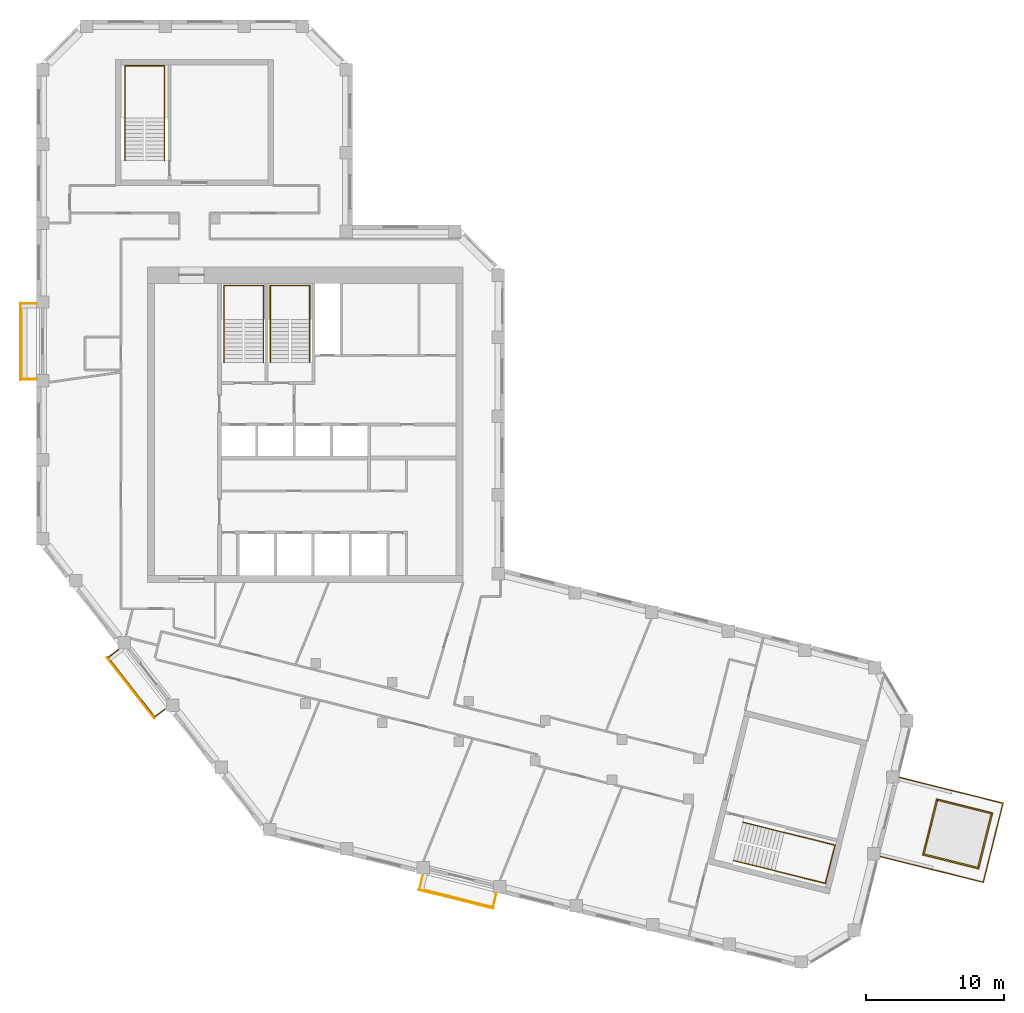
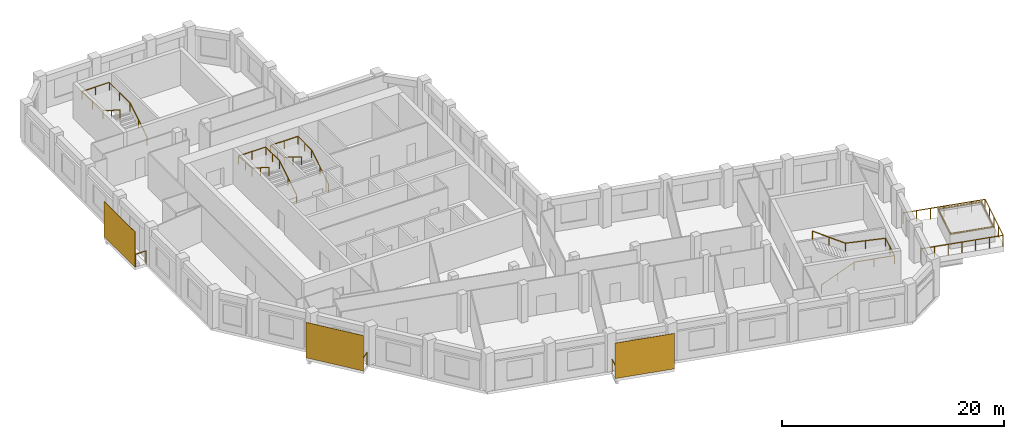
# One storey, part 12 of 13: 8 railings, 4 coverings, 3 shading devices.
"""IFC4 building model written with IfcOpenShell, lengths in metres."""

from ifc_helpers import new_model, si_unit, direction, frame, origin, origin_2d, place, context, subcontext, project, spatial, rectangle, circle, extrude, material, layer, layer_set, type_object, element, save


model = new_model("IFC4")

# Units and contexts
model_context = context("Model", 3, precision=1e-05, world=origin(), true_north=direction((0.0, 1.0)))
body_context = subcontext(model_context, "Body", "Model", "MODEL_VIEW")
ifc_project = project(units=[si_unit("LENGTHUNIT", "METRE"), si_unit("AREAUNIT", "SQUARE_METRE"), si_unit("VOLUMEUNIT", "CUBIC_METRE"), si_unit("PLANEANGLEUNIT", "RADIAN"), si_unit("MASSUNIT", "GRAM", prefix="KILO")], contexts=[model_context])

# Site, building, storey
site_placement = place(None, origin())
site = spatial("IfcSite", under=ifc_project, at=site_placement, CompositionType="ELEMENT")
building_placement = place(site_placement, origin())
building = spatial("IfcBuilding", under=site, at=building_placement, Name="Meshkara Civic Tower", CompositionType="ELEMENT")
storey_placement = place(building_placement, frame((0.0, 0.0, 383.39990234375)))
storey = spatial("IfcBuildingStorey", under=building, at=storey_placement, Name="L88", CompositionType="ELEMENT", Elevation=383.39990234375)

# Railings
ifc_material_1 = material(Name="Steel S355", Category="steel")
railing_type_1 = type_object("IfcRailingType", Name="BALUSTRADE GUARD 1400", PredefinedType="BALUSTRADE", material=ifc_material_1)
railing_1_placement = place(storey_placement, frame((0.0, 34.235107421875, 0.0)))
element("IfcRailing", 1, at=railing_1_placement, inside=storey, type_object=railing_type_1, Name="Balcony guard", PredefinedType="BALUSTRADE", context=body_context, shape_type="SweptSolid", body=[
    extrude(circle(Radius=0.02392578125, at=origin_2d()), frame((0.0, 0.0, 1.3759765625), z_axis=(-1.0, 0.0, 0.0), x_axis=(0.0, -1.0, 0.0)), (0.0, 0.0, 1.0), 1.110107421875),
    extrude(circle(Radius=0.02392578125, at=origin_2d()), frame((-1.110107421875, 0.0, 1.3759765625), z_axis=(0.0, -1.0, 0.0), x_axis=(1.0, 0.0, 0.0)), (0.0, 0.0, 1.0), 5.460205078125),
    extrude(circle(Radius=0.02392578125, at=origin_2d()), frame((-1.110107421875, -5.460205078125, 1.3759765625), z_axis=(1.0, 0.0, 0.0), x_axis=(0.0, 1.0, 0.0)), (0.0, 0.0, 1.0), 1.110107421875),
    extrude(circle(Radius=0.02099609375, at=origin_2d()), origin(), (0.0, 0.0, 1.0), 1.351806640625),
    extrude(circle(Radius=0.02099609375, at=origin_2d()), frame((-1.110107421875, 0.0, 0.0)), (0.0, 0.0, 1.0), 1.351806640625),
    extrude(circle(Radius=0.02099609375, at=origin_2d()), frame((-1.110107421875, -1.092041015625, 0.0)), (0.0, 0.0, 1.0), 1.351806640625),
    extrude(circle(Radius=0.02099609375, at=origin_2d()), frame((-1.110107421875, -2.18408203125, 0.0)), (0.0, 0.0, 1.0), 1.351806640625),
    extrude(circle(Radius=0.02099609375, at=origin_2d()), frame((-1.110107421875, -3.276123046875, 0.0)), (0.0, 0.0, 1.0), 1.351806640625),
    extrude(circle(Radius=0.02099609375, at=origin_2d()), frame((-1.110107421875, -4.3681640625, 0.0)), (0.0, 0.0, 1.0), 1.351806640625),
    extrude(circle(Radius=0.02099609375, at=origin_2d()), frame((-1.110107421875, -5.460205078125, 0.0)), (0.0, 0.0, 1.0), 1.351806640625),
    extrude(circle(Radius=0.02099609375, at=origin_2d()), frame((0.0, -5.460205078125, 0.0)), (0.0, 0.0, 1.0), 1.351806640625),
])
railing_2_placement = place(storey_placement, frame((5.89990234375, 9.25390625, 0.0)))
element("IfcRailing", 2, at=railing_2_placement, inside=storey, type_object=railing_type_1, Name="Balcony guard", PredefinedType="BALUSTRADE", context=body_context, shape_type="SweptSolid", body=[
    extrude(circle(Radius=0.02392578125, at=origin_2d()), frame((0.0, 0.0, 1.3759765625), z_axis=(-0.787920766417, -0.615776636329, 0.0), x_axis=(0.615776636329, -0.787920766417, 0.0)), (0.0, 0.0, 1.0), 0.928955078125),
    extrude(circle(Radius=0.02392578125, at=origin_2d()), frame((-0.73193359375, -0.572021484375, 1.3759765625), z_axis=(0.615684818606, -0.787992515281, 0.0), x_axis=(0.787992515281, 0.615684818606, 0.0)), (0.0, 0.0, 1.0), 5.460693359375),
    extrude(circle(Radius=0.02392578125, at=origin_2d()), frame((2.630126953125, -4.875, 1.3759765625), z_axis=(0.7875216523, 0.616286984415, 0.0), x_axis=(-0.616286984415, 0.7875216523, 0.0)), (0.0, 0.0, 1.0), 0.92822265625),
    extrude(circle(Radius=0.02099609375, at=origin_2d()), origin(), (0.0, 0.0, 1.0), 1.351806640625),
    extrude(circle(Radius=0.02099609375, at=origin_2d()), frame((-0.73193359375, -0.572021484375, 0.0)), (0.0, 0.0, 1.0), 1.351806640625),
    extrude(circle(Radius=0.02099609375, at=origin_2d()), frame((-0.0595703125, -1.4326171875, 0.0)), (0.0, 0.0, 1.0), 1.351806640625),
    extrude(circle(Radius=0.02099609375, at=origin_2d()), frame((0.61279296875, -2.293212890625, 0.0)), (0.0, 0.0, 1.0), 1.351806640625),
    extrude(circle(Radius=0.02099609375, at=origin_2d()), frame((1.285400390625, -3.15380859375, 0.0)), (0.0, 0.0, 1.0), 1.351806640625),
    extrude(circle(Radius=0.02099609375, at=origin_2d()), frame((1.957763671875, -4.014404296875, 0.0)), (0.0, 0.0, 1.0), 1.351806640625),
    extrude(circle(Radius=0.02099609375, at=origin_2d()), frame((2.630126953125, -4.875, 0.0)), (0.0, 0.0, 1.0), 1.351806640625),
    extrude(circle(Radius=0.02099609375, at=origin_2d()), frame((3.361083984375, -4.302978515625, 0.0)), (0.0, 0.0, 1.0), 1.351806640625),
])
railing_3_placement = place(storey_placement, frame((27.89697265625, -7.053955078125, 0.0)))
element("IfcRailing", 3, at=railing_3_placement, inside=storey, type_object=railing_type_1, Name="Balcony guard", PredefinedType="BALUSTRADE", context=body_context, shape_type="SweptSolid", body=[
    extrude(circle(Radius=0.02392578125, at=origin_2d()), frame((0.0, 0.0, 1.3759765625), z_axis=(-0.242592252133, -0.970128341615, 0.0), x_axis=(0.970128341615, -0.242592252133, 0.0)), (0.0, 0.0, 1.0), 1.014404296875),
    extrude(circle(Radius=0.02392578125, at=origin_2d()), frame((-0.24609375, -0.984130859375, 1.3759765625), z_axis=(0.970302726319, -0.241893818229, 0.0), x_axis=(0.241893818229, 0.970302726319, 0.0)), (0.0, 0.0, 1.0), 5.460205078125),
    extrude(circle(Radius=0.02392578125, at=origin_2d()), frame((5.052001953125, -2.304931640625, 1.3759765625), z_axis=(0.242648904851, 0.970114173164, 0.0), x_axis=(-0.970114173164, 0.242648904851, 0.0)), (0.0, 0.0, 1.0), 1.01416015625),
    extrude(circle(Radius=0.02099609375, at=origin_2d()), origin(), (0.0, 0.0, 1.0), 1.351806640625),
    extrude(circle(Radius=0.02099609375, at=origin_2d()), frame((-0.24609375, -0.984130859375, 0.0)), (0.0, 0.0, 1.0), 1.351806640625),
    extrude(circle(Radius=0.02099609375, at=origin_2d()), frame((0.8134765625, -1.248291015625, 0.0)), (0.0, 0.0, 1.0), 1.351806640625),
    extrude(circle(Radius=0.02099609375, at=origin_2d()), frame((1.873046875, -1.512451171875, 0.0)), (0.0, 0.0, 1.0), 1.351806640625),
    extrude(circle(Radius=0.02099609375, at=origin_2d()), frame((2.932861328125, -1.776611328125, 0.0)), (0.0, 0.0, 1.0), 1.351806640625),
    extrude(circle(Radius=0.02099609375, at=origin_2d()), frame((3.992431640625, -2.040771484375, 0.0)), (0.0, 0.0, 1.0), 1.351806640625),
    extrude(circle(Radius=0.02099609375, at=origin_2d()), frame((5.052001953125, -2.304931640625, 0.0)), (0.0, 0.0, 1.0), 1.351806640625),
    extrude(circle(Radius=0.02099609375, at=origin_2d()), frame((5.298095703125, -1.321044921875, 0.0)), (0.0, 0.0, 1.0), 1.351806640625),
])

# Shading devices
ifc_material_2 = material(Name="Perforated bronze anodised aluminium sheet", Category="aluminium")
ifc_layer_1 = layer(ifc_material_2, 0.0400390625)
ifc_layer_set_1 = layer_set([ifc_layer_1], Name="PERFORATED BRONZE SCREEN")
shading_device_type = type_object("IfcShadingDeviceType", Name="PERFORATED BRONZE SCREEN", PredefinedType="USERDEFINED", material=ifc_layer_set_1)
shading_device_1_placement = place(storey_placement, frame((-1.179931640625, 31.5048828125, 0.000244140625), z_axis=(0.0, 0.0, 1.0), x_axis=(0.0, -1.0, 0.0)))
element("IfcShadingDevice", 4, at=shading_device_1_placement, inside=storey, type_object=shading_device_type, Name="Balcony screen", ObjectType="SCREEN", PredefinedType="USERDEFINED", context=body_context, shape_type="SweptSolid", body=[
    extrude(rectangle(XDim=5.580078125, YDim=0.0400390625, at=origin_2d()), origin(), (0.0, 0.0, 1.0), 3.89990234375),
])
shading_device_2_placement = place(storey_placement, frame((6.7939453125, 6.488037109375, 0.000244140625), z_axis=(0.0, 0.0, 1.0), x_axis=(0.615661475326, -0.788010753607, 0.0)))
element("IfcShadingDevice", 5, at=shading_device_2_placement, inside=storey, type_object=shading_device_type, Name="Balcony screen", ObjectType="SCREEN", PredefinedType="USERDEFINED", context=body_context, shape_type="SweptSolid", body=[
    extrude(rectangle(XDim=5.5810546875, YDim=0.0400390625, at=origin_2d()), origin(), (0.0, 0.0, 1.0), 3.89990234375),
])
shading_device_3_placement = place(storey_placement, frame((30.282958984375, -8.76708984375, 0.000244140625), z_axis=(0.0, 0.0, 1.0), x_axis=(0.970295726276, -0.2419218956, 0.0)))
element("IfcShadingDevice", 6, at=shading_device_3_placement, inside=storey, type_object=shading_device_type, Name="Balcony screen", ObjectType="SCREEN", PredefinedType="USERDEFINED", context=body_context, shape_type="SweptSolid", body=[
    extrude(rectangle(XDim=5.580078125, YDim=0.0400390625, at=origin_2d()), origin(), (0.0, 0.0, 1.0), 3.89990234375),
])

# Coverings
ifc_material_3 = material(Name="Stainless steel coping", Category="steel")
ifc_layer_2 = layer(ifc_material_3, 0.080078125)
ifc_layer_set_2 = layer_set([ifc_layer_2], Name="SKY POOL COPING")
covering_type = type_object("IfcCoveringType", Name="SKY POOL COPING", PredefinedType="CLADDING", material=ifc_layer_set_2)
for number, where, z_axis, x_axis, name in (
    (7, (66.02197265625, -6.034912109375, 1.60009765625), (0.0, 0.0, 1.0), (0.970295726276, -0.2419218956, 0.0), "Sky pool coping"),
    (8, (67.009033203125, -2.075927734375, 1.60009765625), (0.0, 0.0, 1.0), (0.970295726276, -0.2419218956, 0.0), "Sky pool coping"),
):
    element("IfcCovering", number, at=place(storey_placement, frame(where, z_axis=z_axis, x_axis=x_axis)), inside=storey, type_object=covering_type, Name=name, PredefinedType="CLADDING", context=body_context, shape_type="SweptSolid", body=[
        extrude(rectangle(XDim=4.199951171875, YDim=0.1201171875, at=origin_2d()), origin(), (0.0, 0.0, 1.0), 0.080078125),
    ])
for number, where, z_axis, x_axis, name in (
    (9, (64.535888671875, -3.56201171875, 1.60009765625), (0.0, 0.0, 1.0), (0.2419218956, 0.970295726276, 0.0), "Sky pool coping"),
    (10, (68.493896484375, -4.549072265625, 1.60009765625), (0.0, 0.0, 1.0), (0.2419218956, 0.970295726276, 0.0), "Sky pool coping"),
):
    element("IfcCovering", number, at=place(storey_placement, frame(where, z_axis=z_axis, x_axis=x_axis)), inside=storey, type_object=covering_type, Name=name, PredefinedType="CLADDING", context=body_context, shape_type="SweptSolid", body=[
        extrude(rectangle(XDim=3.9599609375, YDim=0.1201171875, at=origin_2d()), origin(), (0.0, 0.0, 1.0), 0.080078125),
    ])

# Railings
ifc_material_4 = material(Name="Structural glass balustrade with stainless steel fittings", Category="steel")
railing_type_2 = type_object("IfcRailingType", Name="SKY POOL GLASS GUARD 1200", PredefinedType="BALUSTRADE", material=ifc_material_4)
railing_4_placement = place(storey_placement, frame((60.85498046875, -5.675048828125, 0.0)))
element("IfcRailing", 11, at=railing_4_placement, inside=storey, type_object=railing_type_2, Name="Sky pool glass guard", PredefinedType="BALUSTRADE", context=body_context, shape_type="SweptSolid", body=[
    extrude(circle(Radius=0.02392578125, at=origin_2d()), frame((0.0, 0.0, 1.17578125), z_axis=(0.970307414391, -0.241875012306, 0.0), x_axis=(0.241875012306, 0.970307414391, 0.0)), (0.0, 0.0, 1.0), 7.73974609375),
    extrude(circle(Radius=0.02392578125, at=origin_2d()), frame((7.510009765625, -1.8720703125, 1.17578125), z_axis=(0.242027566656, 0.970269373411, 0.0), x_axis=(-0.970269373411, 0.242027566656, 0.0)), (0.0, 0.0, 1.0), 5.8798828125),
    extrude(circle(Radius=0.02392578125, at=origin_2d()), frame((8.93310546875, 3.8330078125, 1.17578125), z_axis=(-0.970277795921, 0.241993798976, 0.0), x_axis=(-0.241993798976, -0.970277795921, 0.0)), (0.0, 0.0, 1.0), 7.739990234375),
    extrude(circle(Radius=0.02099609375, at=origin_2d()), origin(), (0.0, 0.0, 1.0), 1.15185546875),
    extrude(circle(Radius=0.02099609375, at=origin_2d()), frame((1.251708984375, -0.31201171875, 0.0)), (0.0, 0.0, 1.0), 1.15185546875),
    extrude(circle(Radius=0.02099609375, at=origin_2d()), frame((2.50341796875, -0.6240234375, 0.0)), (0.0, 0.0, 1.0), 1.15185546875),
    extrude(circle(Radius=0.02099609375, at=origin_2d()), frame((3.7548828125, -0.93603515625, 0.0)), (0.0, 0.0, 1.0), 1.15185546875),
    extrude(circle(Radius=0.02099609375, at=origin_2d()), frame((5.006591796875, -1.248046875, 0.0)), (0.0, 0.0, 1.0), 1.15185546875),
    extrude(circle(Radius=0.02099609375, at=origin_2d()), frame((6.25830078125, -1.56005859375, 0.0)), (0.0, 0.0, 1.0), 1.15185546875),
    extrude(circle(Radius=0.02099609375, at=origin_2d()), frame((7.510009765625, -1.8720703125, 0.0)), (0.0, 0.0, 1.0), 1.15185546875),
    extrude(circle(Radius=0.02099609375, at=origin_2d()), frame((7.86572265625, -0.44580078125, 0.0)), (0.0, 0.0, 1.0), 1.15185546875),
    extrude(circle(Radius=0.02099609375, at=origin_2d()), frame((8.2216796875, 0.98046875, 0.0)), (0.0, 0.0, 1.0), 1.15185546875),
    extrude(circle(Radius=0.02099609375, at=origin_2d()), frame((8.577392578125, 2.40673828125, 0.0)), (0.0, 0.0, 1.0), 1.15185546875),
    extrude(circle(Radius=0.02099609375, at=origin_2d()), frame((8.93310546875, 3.8330078125, 0.0)), (0.0, 0.0, 1.0), 1.15185546875),
    extrude(circle(Radius=0.02099609375, at=origin_2d()), frame((7.681396484375, 4.145263671875, 0.0)), (0.0, 0.0, 1.0), 1.15185546875),
    extrude(circle(Radius=0.02099609375, at=origin_2d()), frame((6.4296875, 4.457275390625, 0.0)), (0.0, 0.0, 1.0), 1.15185546875),
    extrude(circle(Radius=0.02099609375, at=origin_2d()), frame((5.17822265625, 4.76953125, 0.0)), (0.0, 0.0, 1.0), 1.15185546875),
    extrude(circle(Radius=0.02099609375, at=origin_2d()), frame((3.926513671875, 5.081787109375, 0.0)), (0.0, 0.0, 1.0), 1.15185546875),
    extrude(circle(Radius=0.02099609375, at=origin_2d()), frame((2.6748046875, 5.393798828125, 0.0)), (0.0, 0.0, 1.0), 1.15185546875),
    extrude(circle(Radius=0.02099609375, at=origin_2d()), frame((1.423095703125, 5.7060546875, 0.0)), (0.0, 0.0, 1.0), 1.15185546875),
])
ifc_material_5 = material(Name="Steel handrail", Category="steel")
railing_type_3 = type_object("IfcRailingType", Name="Stair handrail 900", PredefinedType="HANDRAIL", material=ifc_material_5)
railing_5_placement = place(storey_placement, frame((16.375, 30.0, 0.175048828125)))
element("IfcRailing", 12, at=railing_5_placement, inside=storey, type_object=railing_type_3, Name="L88 ST1 stair handrail 1", PredefinedType="HANDRAIL", context=body_context, shape_type="SweptSolid", body=[
    extrude(circle(Radius=0.02392578125, at=origin_2d()), frame((0.0, 0.0, 0.8759765625), z_axis=(0.0, 0.847998304005, 0.529998940003), x_axis=(-1.0, 0.0, 0.0)), (0.0, 0.0, 1.0), 3.632080078125),
    extrude(circle(Radius=0.02392578125, at=origin_2d()), frame((0.0, 3.080078125, 2.80078125), z_axis=(0.0, 1.0, 0.0), x_axis=(-1.0, 0.0, 0.0)), (0.0, 0.0, 1.0), 2.469970703125),
    extrude(circle(Radius=0.02392578125, at=origin_2d()), frame((0.0, 5.550048828125, 2.80078125), z_axis=(-1.0, 0.0, 0.0), x_axis=(0.0, -1.0, 0.0)), (0.0, 0.0, 1.0), 2.85009765625),
    extrude(circle(Radius=0.02392578125, at=origin_2d()), frame((-2.85009765625, 5.550048828125, 2.80078125), z_axis=(0.0, -0.997498084828, 0.070693498747), x_axis=(1.0, 0.0, 0.0)), (0.0, 0.0, 1.0), 2.47607421875),
    extrude(circle(Radius=0.02392578125, at=origin_2d()), frame((-2.85009765625, 3.080078125, 2.97607421875), z_axis=(0.0, -0.847998304005, 0.529998940003), x_axis=(1.0, 0.0, 0.0)), (0.0, 0.0, 1.0), 3.632080078125),
    extrude(circle(Radius=0.02099609375, at=origin_2d()), origin(), (0.0, 0.0, 1.0), 0.851806640625),
    extrude(circle(Radius=0.02099609375, at=origin_2d()), frame((0.0, 1.5400390625, 0.96240234375)), (0.0, 0.0, 1.0), 0.851806640625),
    extrude(circle(Radius=0.02099609375, at=origin_2d()), frame((0.0, 3.080078125, 1.925048828125)), (0.0, 0.0, 1.0), 0.851806640625),
    extrude(circle(Radius=0.02099609375, at=origin_2d()), frame((0.0, 4.31494140625, 1.925048828125)), (0.0, 0.0, 1.0), 0.851806640625),
    extrude(circle(Radius=0.02099609375, at=origin_2d()), frame((0.0, 5.550048828125, 1.925048828125)), (0.0, 0.0, 1.0), 0.851806640625),
    extrude(circle(Radius=0.02099609375, at=origin_2d()), frame((-1.425048828125, 5.550048828125, 1.925048828125)), (0.0, 0.0, 1.0), 0.851806640625),
    extrude(circle(Radius=0.02099609375, at=origin_2d()), frame((-2.85009765625, 5.550048828125, 1.925048828125)), (0.0, 0.0, 1.0), 0.851806640625),
    extrude(circle(Radius=0.02099609375, at=origin_2d()), frame((-2.85009765625, 4.31494140625, 2.0126953125)), (0.0, 0.0, 1.0), 0.851806640625),
    extrude(circle(Radius=0.02099609375, at=origin_2d()), frame((-2.85009765625, 3.080078125, 2.10009765625)), (0.0, 0.0, 1.0), 0.851806640625),
    extrude(circle(Radius=0.02099609375, at=origin_2d()), frame((-2.85009765625, 1.5400390625, 3.0625)), (0.0, 0.0, 1.0), 0.851806640625),
    extrude(circle(Radius=0.02099609375, at=origin_2d()), frame((-2.85009765625, 0.0, 4.025146484375)), (0.0, 0.0, 1.0), 0.851806640625),
])
railing_6_placement = place(storey_placement, frame((19.72509765625, 30.0, 0.175048828125)))
element("IfcRailing", 13, at=railing_6_placement, inside=storey, type_object=railing_type_3, Name="L88 ST2 stair handrail 1", PredefinedType="HANDRAIL", context=body_context, shape_type="SweptSolid", body=[
    extrude(circle(Radius=0.02392578125, at=origin_2d()), frame((0.0, 0.0, 0.8759765625), z_axis=(0.0, 0.847998304005, 0.529998940003), x_axis=(-1.0, 0.0, 0.0)), (0.0, 0.0, 1.0), 3.632080078125),
    extrude(circle(Radius=0.02392578125, at=origin_2d()), frame((0.0, 3.080078125, 2.80078125), z_axis=(0.0, 1.0, 0.0), x_axis=(-1.0, 0.0, 0.0)), (0.0, 0.0, 1.0), 2.469970703125),
    extrude(circle(Radius=0.02392578125, at=origin_2d()), frame((0.0, 5.550048828125, 2.80078125), z_axis=(-1.0, 0.0, 0.0), x_axis=(0.0, -1.0, 0.0)), (0.0, 0.0, 1.0), 2.85009765625),
    extrude(circle(Radius=0.02392578125, at=origin_2d()), frame((-2.85009765625, 5.550048828125, 2.80078125), z_axis=(0.0, -0.997498084828, 0.070693498747), x_axis=(1.0, 0.0, 0.0)), (0.0, 0.0, 1.0), 2.47607421875),
    extrude(circle(Radius=0.02392578125, at=origin_2d()), frame((-2.85009765625, 3.080078125, 2.97607421875), z_axis=(0.0, -0.847998304005, 0.529998940003), x_axis=(1.0, 0.0, 0.0)), (0.0, 0.0, 1.0), 3.632080078125),
    extrude(circle(Radius=0.02099609375, at=origin_2d()), origin(), (0.0, 0.0, 1.0), 0.851806640625),
    extrude(circle(Radius=0.02099609375, at=origin_2d()), frame((0.0, 1.5400390625, 0.96240234375)), (0.0, 0.0, 1.0), 0.851806640625),
    extrude(circle(Radius=0.02099609375, at=origin_2d()), frame((0.0, 3.080078125, 1.925048828125)), (0.0, 0.0, 1.0), 0.851806640625),
    extrude(circle(Radius=0.02099609375, at=origin_2d()), frame((0.0, 4.31494140625, 1.925048828125)), (0.0, 0.0, 1.0), 0.851806640625),
    extrude(circle(Radius=0.02099609375, at=origin_2d()), frame((0.0, 5.550048828125, 1.925048828125)), (0.0, 0.0, 1.0), 0.851806640625),
    extrude(circle(Radius=0.02099609375, at=origin_2d()), frame((-1.425048828125, 5.550048828125, 1.925048828125)), (0.0, 0.0, 1.0), 0.851806640625),
    extrude(circle(Radius=0.02099609375, at=origin_2d()), frame((-2.85009765625, 5.550048828125, 1.925048828125)), (0.0, 0.0, 1.0), 0.851806640625),
    extrude(circle(Radius=0.02099609375, at=origin_2d()), frame((-2.85009765625, 4.31494140625, 2.0126953125)), (0.0, 0.0, 1.0), 0.851806640625),
    extrude(circle(Radius=0.02099609375, at=origin_2d()), frame((-2.85009765625, 3.080078125, 2.10009765625)), (0.0, 0.0, 1.0), 0.851806640625),
    extrude(circle(Radius=0.02099609375, at=origin_2d()), frame((-2.85009765625, 1.5400390625, 3.0625)), (0.0, 0.0, 1.0), 0.851806640625),
    extrude(circle(Radius=0.02099609375, at=origin_2d()), frame((-2.85009765625, 0.0, 4.025146484375)), (0.0, 0.0, 1.0), 0.851806640625),
])
railing_7_placement = place(storey_placement, frame((9.22509765625, 44.570068359375, 0.175048828125)))
element("IfcRailing", 14, at=railing_7_placement, inside=storey, type_object=railing_type_3, Name="L88 ESA6 stair handrail 1", PredefinedType="HANDRAIL", context=body_context, shape_type="SweptSolid", body=[
    extrude(circle(Radius=0.02392578125, at=origin_2d()), frame((0.0, 0.0, 0.8759765625), z_axis=(0.0, 0.847979421464, 0.530029150871), x_axis=(-1.0, 0.0, 0.0)), (0.0, 0.0, 1.0), 3.632080078125),
    extrude(circle(Radius=0.02392578125, at=origin_2d()), frame((0.0, 3.079833984375, 2.80078125), z_axis=(0.0, 1.0, 0.0), x_axis=(-1.0, 0.0, 0.0)), (0.0, 0.0, 1.0), 3.77001953125),
    extrude(circle(Radius=0.02392578125, at=origin_2d()), frame((0.0, 6.849853515625, 2.80078125), z_axis=(-1.0, 0.0, 0.0), x_axis=(0.0, -1.0, 0.0)), (0.0, 0.0, 1.0), 2.85009765625),
    extrude(circle(Radius=0.02392578125, at=origin_2d()), frame((-2.85009765625, 6.849853515625, 2.80078125), z_axis=(0.0, -0.9989237834, 0.046381838667), x_axis=(1.0, 0.0, 0.0)), (0.0, 0.0, 1.0), 3.774169921875),
    extrude(circle(Radius=0.02392578125, at=origin_2d()), frame((-2.85009765625, 3.079833984375, 2.97607421875), z_axis=(0.0, -0.847979421464, 0.530029150871), x_axis=(1.0, 0.0, 0.0)), (0.0, 0.0, 1.0), 3.632080078125),
    extrude(circle(Radius=0.02099609375, at=origin_2d()), origin(), (0.0, 0.0, 1.0), 0.851806640625),
    extrude(circle(Radius=0.02099609375, at=origin_2d()), frame((0.0, 1.5400390625, 0.96240234375)), (0.0, 0.0, 1.0), 0.851806640625),
    extrude(circle(Radius=0.02099609375, at=origin_2d()), frame((0.0, 3.079833984375, 1.925048828125)), (0.0, 0.0, 1.0), 0.851806640625),
    extrude(circle(Radius=0.02099609375, at=origin_2d()), frame((0.0, 4.96484375, 1.925048828125)), (0.0, 0.0, 1.0), 0.851806640625),
    extrude(circle(Radius=0.02099609375, at=origin_2d()), frame((0.0, 6.849853515625, 1.925048828125)), (0.0, 0.0, 1.0), 0.851806640625),
    extrude(circle(Radius=0.02099609375, at=origin_2d()), frame((-1.425048828125, 6.849853515625, 1.925048828125)), (0.0, 0.0, 1.0), 0.851806640625),
    extrude(circle(Radius=0.02099609375, at=origin_2d()), frame((-2.85009765625, 6.849853515625, 1.925048828125)), (0.0, 0.0, 1.0), 0.851806640625),
    extrude(circle(Radius=0.02099609375, at=origin_2d()), frame((-2.85009765625, 4.96484375, 2.0126953125)), (0.0, 0.0, 1.0), 0.851806640625),
    extrude(circle(Radius=0.02099609375, at=origin_2d()), frame((-2.85009765625, 3.079833984375, 2.10009765625)), (0.0, 0.0, 1.0), 0.851806640625),
    extrude(circle(Radius=0.02099609375, at=origin_2d()), frame((-2.85009765625, 1.5400390625, 3.0625)), (0.0, 0.0, 1.0), 0.851806640625),
    extrude(circle(Radius=0.02099609375, at=origin_2d()), frame((-2.85009765625, 0.0, 4.025146484375)), (0.0, 0.0, 1.0), 0.851806640625),
])
railing_8_placement = place(storey_placement, frame((50.31884765625, -5.975341796875, 0.175048828125)))
element("IfcRailing", 15, at=railing_8_placement, inside=storey, type_object=railing_type_3, Name="L88 ESB6 stair handrail 1", PredefinedType="HANDRAIL", context=body_context, shape_type="SweptSolid", body=[
    extrude(circle(Radius=0.02392578125, at=origin_2d()), frame((0.0, 0.0, 0.8759765625), z_axis=(0.822816010835, -0.205082235851, 0.530014234575), x_axis=(0.241845469214, 0.970314778317, 0.0)), (0.0, 0.0, 1.0), 3.632080078125),
    extrude(circle(Radius=0.02392578125, at=origin_2d()), frame((2.988525390625, -0.744873046875, 2.80078125), z_axis=(0.970325068916, -0.241804178279, 0.0), x_axis=(0.241804178279, 0.970325068916, 0.0)), (0.0, 0.0, 1.0), 3.77001953125),
    extrude(circle(Radius=0.02392578125, at=origin_2d()), frame((6.646728515625, -1.656494140625, 2.80078125), z_axis=(0.24183009087, 0.970318611153, 0.0), x_axis=(-0.970318611153, 0.24183009087, 0.0)), (0.0, 0.0, 1.0), 2.849853515625),
    extrude(circle(Radius=0.02392578125, at=origin_2d()), frame((7.3359375, 1.10888671875, 2.80078125), z_axis=(-0.969265675791, 0.241604865128, 0.046380371699), x_axis=(-0.241865147941, -0.970309873294, 0.0)), (0.0, 0.0, 1.0), 3.774169921875),
    extrude(circle(Radius=0.02392578125, at=origin_2d()), frame((3.677734375, 2.020751953125, 2.97607421875), z_axis=(-0.822827351915, 0.205017843586, 0.530021539894), x_axis=(-0.241770835762, -0.970333377234, 0.0)), (0.0, 0.0, 1.0), 3.632080078125),
    extrude(circle(Radius=0.02099609375, at=origin_2d()), origin(), (0.0, 0.0, 1.0), 0.851806640625),
    extrude(circle(Radius=0.02099609375, at=origin_2d()), frame((1.494140625, -0.37255859375, 0.96240234375)), (0.0, 0.0, 1.0), 0.851806640625),
    extrude(circle(Radius=0.02099609375, at=origin_2d()), frame((2.988525390625, -0.744873046875, 1.925048828125)), (0.0, 0.0, 1.0), 0.851806640625),
    extrude(circle(Radius=0.02099609375, at=origin_2d()), frame((4.817626953125, -1.20068359375, 1.925048828125)), (0.0, 0.0, 1.0), 0.851806640625),
    extrude(circle(Radius=0.02099609375, at=origin_2d()), frame((6.646728515625, -1.656494140625, 1.925048828125)), (0.0, 0.0, 1.0), 0.851806640625),
    extrude(circle(Radius=0.02099609375, at=origin_2d()), frame((6.9912109375, -0.27392578125, 1.925048828125)), (0.0, 0.0, 1.0), 0.851806640625),
    extrude(circle(Radius=0.02099609375, at=origin_2d()), frame((7.3359375, 1.10888671875, 1.925048828125)), (0.0, 0.0, 1.0), 0.851806640625),
    extrude(circle(Radius=0.02099609375, at=origin_2d()), frame((5.5068359375, 1.56494140625, 2.0126953125)), (0.0, 0.0, 1.0), 0.851806640625),
    extrude(circle(Radius=0.02099609375, at=origin_2d()), frame((3.677734375, 2.020751953125, 2.10009765625)), (0.0, 0.0, 1.0), 0.851806640625),
    extrude(circle(Radius=0.02099609375, at=origin_2d()), frame((2.18359375, 2.39306640625, 3.0625)), (0.0, 0.0, 1.0), 0.851806640625),
    extrude(circle(Radius=0.02099609375, at=origin_2d()), frame((0.689208984375, 2.765380859375, 4.025146484375)), (0.0, 0.0, 1.0), 0.851806640625),
])

save(model, "model.ifc")
